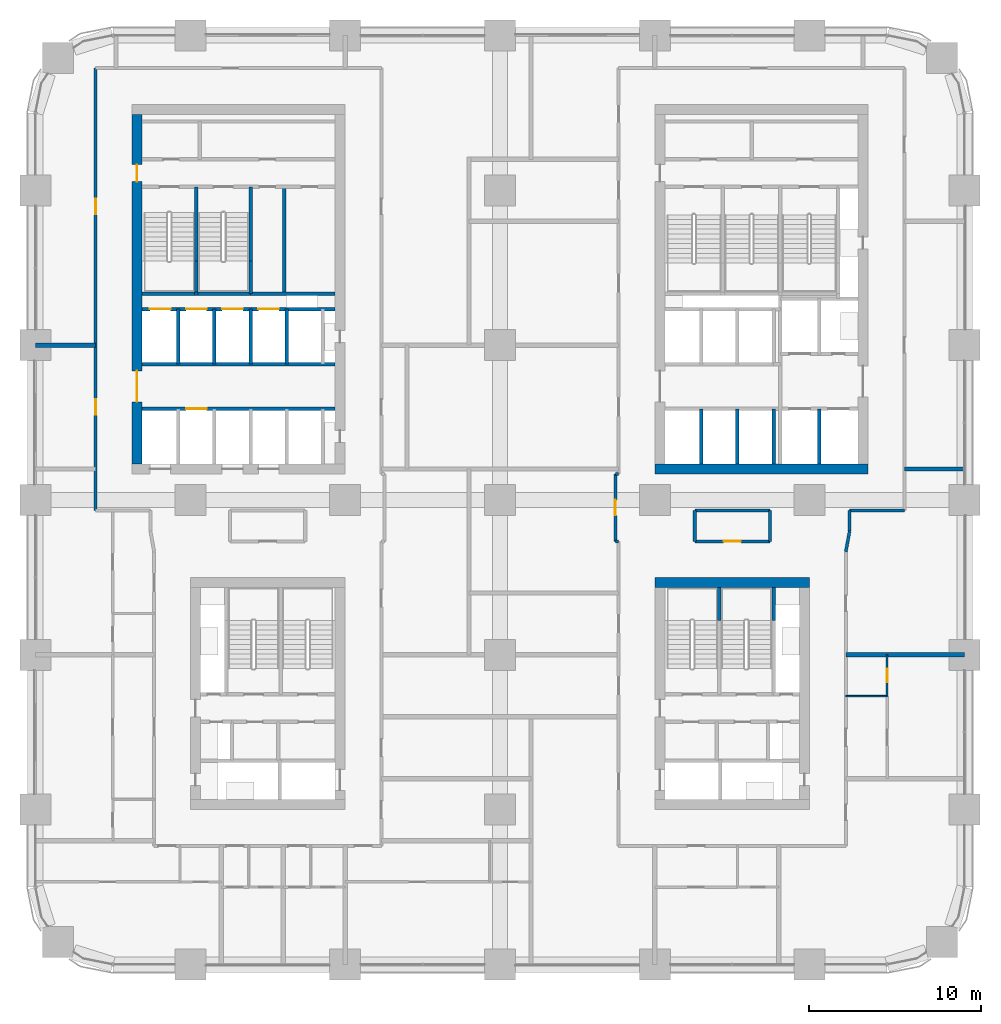
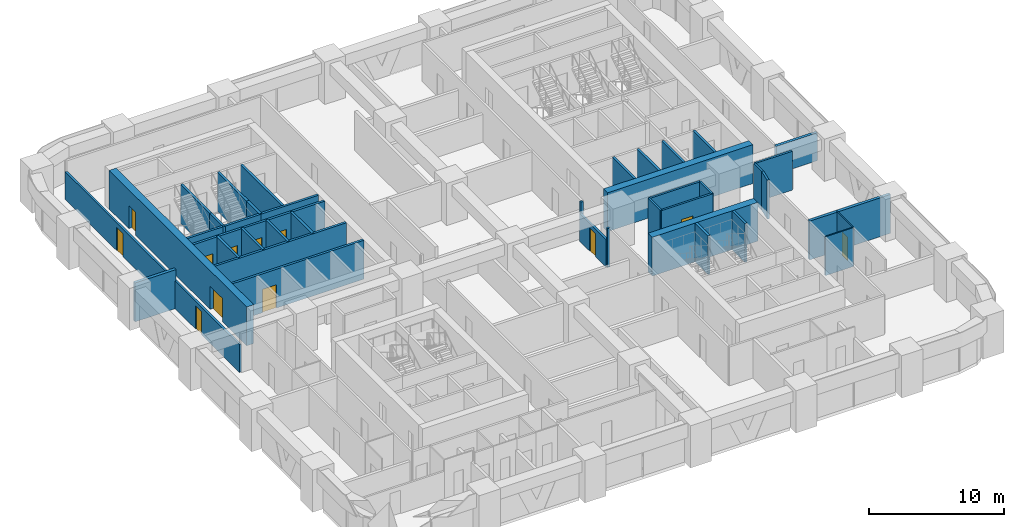
# One storey, part 16 of 21: 41 walls, 12 doors, 12 openings.
"""IFC4 building model written with IfcOpenShell, lengths in metres."""

from ifc_helpers import new_model, si_unit, direction, frame, frame_2d, origin, place, context, subcontext, project, spatial, rectangle, extrude, material, layer, layer_set, type_object, element, fill, save


model = new_model("IFC4")

# Units and contexts
model_context = context("Model", 3, precision=1e-05, world=origin(), true_north=direction((0.0, 1.0)))
body_context = subcontext(model_context, "Body", "Model", "MODEL_VIEW")
ifc_project = project(units=[si_unit("LENGTHUNIT", "METRE"), si_unit("AREAUNIT", "SQUARE_METRE"), si_unit("VOLUMEUNIT", "CUBIC_METRE"), si_unit("PLANEANGLEUNIT", "RADIAN"), si_unit("MASSUNIT", "GRAM", prefix="KILO")], contexts=[model_context])

# Site, building, storey
site_placement = place(None, origin())
site = spatial("IfcSite", under=ifc_project, at=site_placement, CompositionType="ELEMENT")
building_placement = place(site_placement, origin())
building = spatial("IfcBuilding", under=site, at=building_placement, Name="Tessera Arch", CompositionType="ELEMENT")
storey_placement = place(building_placement, frame((0.0, 0.0, 69.0)))
storey = spatial("IfcBuildingStorey", under=building, at=storey_placement, Name="L15", CompositionType="ELEMENT", Elevation=69.0)

# Walls
ifc_material_1 = material(Name="Gypsum board on steel stud", Category="steel")
ifc_layer_1 = layer(ifc_material_1, 0.125)
ifc_layer_set_1 = layer_set([ifc_layer_1], Name="Core partition 125 EI 60")
wall_type_1 = type_object("IfcWallType", Name="Core partition 125 EI 60", PredefinedType="PARTITIONING", material=ifc_layer_set_1)
wall_1_placement = place(storey_placement, frame((14.4599609375, 39.0, 0.0), z_axis=(0.0, 0.0, 1.0), x_axis=(0.0, 1.0, 0.0)))
element("IfcWall", 1, at=wall_1_placement, inside=storey, type_object=wall_type_1, Name="L15 C2 partition wall 12", PredefinedType="PARTITIONING", context=body_context, shape_type="SweptSolid", body=[
    extrude(rectangle(XDim=6.199951171875, YDim=0.199951171875, at=frame_2d((3.10009765625, 0.0))), origin(), (0.0, 0.0, 1.0), 3.5),
])
ifc_material_2 = material(Name="Concrete C70/85", Category="concrete")
ifc_layer_2 = layer(ifc_material_2, 0.60009765625)
ifc_layer_set_2 = layer_set([ifc_layer_2], Name="Core shell wall 600 C70-85")
wall_type_2 = type_object("IfcWallType", Name="Core shell wall 600 C70-85", PredefinedType="SHEAR", material=ifc_layer_set_2)
wall_2_placement = place(storey_placement, frame((36.0, 28.800048828125, 0.0), z_axis=(0.0, 0.0, 1.0), x_axis=(1.0, 0.0, 0.0)))
element("IfcWall", 2, at=wall_2_placement, inside=storey, type_object=wall_type_2, Name="L15 C1 core wall S", PredefinedType="SHEAR", context=body_context, shape_type="SweptSolid", body=[
    extrude(rectangle(XDim=12.39990234375, YDim=0.60009765625, at=frame_2d((6.199951171875, 0.0))), origin(), (0.0, 0.0, 1.0), 3.5),
])

# Wall, openings, doors
wall_3_placement = place(storey_placement, frame((5.89990234375, 29.10009765625, 0.0), z_axis=(0.0, 0.0, 1.0), x_axis=(0.0, 1.0, 0.0)))
wall_3 = element("IfcWall", 3, at=wall_3_placement, inside=storey, type_object=wall_type_2, Name="L15 C2 core wall W", PredefinedType="SHEAR", context=body_context, shape_type="SweptSolid", body=[
    extrude(rectangle(XDim=20.2998046875, YDim=0.60009765625, at=frame_2d((10.14990234375, 0.0))), origin(), (0.0, 0.0, 1.0), 3.5),
])
opening_1_placement = place(wall_3_placement, frame((3.60009765625, 0.0, 0.0)))
opening_1 = element("IfcOpeningElement", 4, at=opening_1_placement, cuts=wall_3, Name="Opening L15-C24", PredefinedType="OPENING", context=body_context, shape_type="SweptSolid", body=[
    extrude(rectangle(XDim=1.800048828125, YDim=2.10009765625, at=frame_2d((0.89990234375, 1.050048828125))), frame((0.0, 0.31005859375, 0.0), z_axis=(0.0, -1.0, 0.0), x_axis=(1.0, 0.0, 0.0)), (0.0, 0.0, 1.0), 0.6201171875),
])
opening_2_placement = place(wall_3_placement, frame((16.39990234375, 0.0, 0.0)))
opening_2 = element("IfcOpeningElement", 5, at=opening_2_placement, cuts=wall_3, Name="Opening L15-C27", PredefinedType="OPENING", context=body_context, shape_type="SweptSolid", body=[
    extrude(rectangle(XDim=1.0, YDim=2.10009765625, at=frame_2d((0.5, 1.050048828125))), frame((0.0, 0.31005859375, 0.0), z_axis=(0.0, -1.0, 0.0), x_axis=(1.0, 0.0, 0.0)), (0.0, 0.0, 1.0), 0.6201171875),
])
ifc_material_3 = material(Name="Steel door leaf", Category="steel")
door_type_1 = type_object("IfcDoorType", Name="Corridor door FD60 1000 x 2100", OperationType="SINGLE_SWING_LEFT", PredefinedType="DOOR", material=ifc_material_3)
door_1_placement = place(opening_2_placement, origin())
door_1 = element("IfcDoor", 6, at=door_1_placement, inside=storey, type_object=door_type_1, Name="L15 C2 door 14 C27 type D12", OperationType="SINGLE_SWING_RIGHT", OverallHeight=2.10009765625, OverallWidth=1.0, PredefinedType="DOOR", context=body_context, shape_type="SweptSolid", body=[
    extrude(rectangle(XDim=1.0, YDim=2.10009765625, at=frame_2d((0.5, 1.050048828125))), frame((0.0, 0.02490234375, 0.0), z_axis=(0.0, -1.0, 0.0), x_axis=(1.0, 0.0, 0.0)), (0.0, 0.0, 1.0), 0.050048828125),
])
fill(opening_2, door_1)
ifc_material_4 = material(Name="Glazed steel door leaf", Category="steel")
door_type_2 = type_object("IfcDoorType", Name="Lobby double door FD30S 1800 x 2100", OperationType="DOUBLE_DOOR_SINGLE_SWING", PredefinedType="DOOR", material=ifc_material_4)
door_2_placement = place(opening_1_placement, origin())
door_2 = element("IfcDoor", 7, at=door_2_placement, inside=storey, type_object=door_type_2, Name="L15 C2 door 11 C24 type D06", OperationType="DOUBLE_DOOR_SINGLE_SWING", OverallHeight=2.10009765625, OverallWidth=1.800048828125, PredefinedType="DOOR", context=body_context, shape_type="SweptSolid", body=[
    extrude(rectangle(XDim=1.800048828125, YDim=2.10009765625, at=frame_2d((0.89990234375, 1.050048828125))), frame((0.0, 0.02490234375, 0.0), z_axis=(0.0, -1.0, 0.0), x_axis=(1.0, 0.0, 0.0)), (0.0, 0.0, 1.0), 0.050048828125),
])
fill(opening_1, door_2)

# Walls
wall_4_placement = place(storey_placement, frame((36.0, 22.199951171875, 0.0), z_axis=(0.0, 0.0, 1.0), x_axis=(1.0, 0.0, 0.0)))
element("IfcWall", 8, at=wall_4_placement, inside=storey, type_object=wall_type_2, Name="L15 C3 core wall N", PredefinedType="SHEAR", context=body_context, shape_type="SweptSolid", body=[
    extrude(rectangle(XDim=9.0, YDim=0.60009765625, at=frame_2d((4.5, 0.0))), origin(), (0.0, 0.0, 1.0), 3.5),
])
ifc_material_5 = material(Name="Gypsum board on deep steel stud with mineral wool", Category="steel")
ifc_layer_3 = layer(ifc_material_5, 0.175048828125)
ifc_layer_set_3 = layer_set([ifc_layer_3], Name="Corridor wall 175 EI 60")
wall_type_3 = type_object("IfcWallType", Name="Corridor wall 175 EI 60", PredefinedType="PARTITIONING", material=ifc_layer_set_3)
wall_5_placement = place(storey_placement, frame((33.699951171875, 24.590087890625, 0.0), z_axis=(0.0, 0.0, 1.0), x_axis=(1.0, 0.0, 0.0)))
element("IfcWall", 9, at=wall_5_placement, inside=storey, type_object=wall_type_3, Name="L15 partition 4", PredefinedType="PARTITIONING", context=body_context, shape_type="SweptSolid", body=[
    extrude(rectangle(XDim=0.199951171875, YDim=0.175048828125, at=frame_2d((0.10009765625, 0.0))), origin(), (0.0, 0.0, 1.0), 3.5),
])

# Wall, opening, door
wall_6_placement = place(storey_placement, frame((38.320068359375, 24.60009765625, 0.0), z_axis=(0.0, 0.0, 1.0), x_axis=(1.0, 0.0, 0.0)))
wall_6 = element("IfcWall", 10, at=wall_6_placement, inside=storey, type_object=wall_type_3, Name="L15 partition 6", PredefinedType="PARTITIONING", context=body_context, shape_type="SweptSolid", body=[
    extrude(rectangle(XDim=4.35986328125, YDim=0.175048828125, at=frame_2d((2.179931640625, 0.0))), origin(), (0.0, 0.0, 1.0), 3.5),
])
opening_3_placement = place(wall_6_placement, frame((1.679931640625, 0.0, 0.0)))
opening_3 = element("IfcOpeningElement", 11, at=opening_3_placement, cuts=wall_6, Name="Opening L15-D035", PredefinedType="OPENING", context=body_context, shape_type="SweptSolid", body=[
    extrude(rectangle(XDim=1.0, YDim=2.10009765625, at=frame_2d((0.5, 1.050048828125))), frame((0.0, 0.097412109375, 0.0), z_axis=(0.0, -1.0, 0.0), x_axis=(1.0, 0.0, 0.0)), (0.0, 0.0, 1.0), 0.195068359375),
])
ifc_material_6 = material(Name="Fire-rated door leaf")
door_type_3 = type_object("IfcDoorType", Name="Entrance door FD30S 1000 x 2100", OperationType="SINGLE_SWING_LEFT", PredefinedType="DOOR", material=ifc_material_6)
door_3_placement = place(opening_3_placement, origin())
door_3 = element("IfcDoor", 12, at=door_3_placement, inside=storey, type_object=door_type_3, Name="L15 door D035 type D03", OperationType="SINGLE_SWING_LEFT", OverallHeight=2.10009765625, OverallWidth=1.0, PredefinedType="DOOR", context=body_context, shape_type="SweptSolid", body=[
    extrude(rectangle(XDim=1.0, YDim=2.10009765625, at=frame_2d((0.5, 1.050048828125))), frame((0.0, 0.02490234375, 0.0), z_axis=(0.0, -1.0, 0.0), x_axis=(1.0, 0.0, 0.0)), (0.0, 0.0, 1.0), 0.050048828125),
])
fill(opening_3, door_3)

# Walls
wall_7_placement = place(storey_placement, frame((38.320068359375, 26.39990234375, 0.0), z_axis=(0.0, 0.0, 1.0), x_axis=(1.0, 0.0, 0.0)))
element("IfcWall", 13, at=wall_7_placement, inside=storey, type_object=wall_type_3, Name="L15 partition 9", PredefinedType="PARTITIONING", context=body_context, shape_type="SweptSolid", body=[
    extrude(rectangle(XDim=4.35986328125, YDim=0.175048828125, at=frame_2d((2.179931640625, 0.0))), origin(), (0.0, 0.0, 1.0), 3.5),
])
wall_8_placement = place(storey_placement, frame((47.320068359375, 26.39990234375, 0.0), z_axis=(0.0, 0.0, 1.0), x_axis=(1.0, 0.0, 0.0)))
element("IfcWall", 14, at=wall_8_placement, inside=storey, type_object=wall_type_3, Name="L15 partition 10", PredefinedType="PARTITIONING", context=body_context, shape_type="SweptSolid", body=[
    extrude(rectangle(XDim=3.179931640625, YDim=0.175048828125, at=frame_2d((1.58984375, 0.0))), origin(), (0.0, 0.0, 1.0), 3.5),
])
wall_9_placement = place(storey_placement, frame((33.699951171875, 28.52001953125, 0.0), z_axis=(0.0, 0.0, 1.0), x_axis=(1.0, 0.0, 0.0)))
element("IfcWall", 15, at=wall_9_placement, inside=storey, type_object=wall_type_3, Name="L15 partition 12", PredefinedType="PARTITIONING", context=body_context, shape_type="SweptSolid", body=[
    extrude(rectangle(XDim=0.199951171875, YDim=0.175048828125, at=frame_2d((0.10009765625, 0.0))), origin(), (0.0, 0.0, 1.0), 3.5),
])

# Wall, openings, doors
wall_10_placement = place(storey_placement, frame((3.5, 26.39990234375, 0.0), z_axis=(0.0, 0.0, 1.0), x_axis=(0.0, 1.0, 0.0)))
wall_10 = element("IfcWall", 16, at=wall_10_placement, inside=storey, type_object=wall_type_3, Name="L15 partition 15", PredefinedType="PARTITIONING", context=body_context, shape_type="SweptSolid", body=[
    extrude(rectangle(XDim=25.7001953125, YDim=0.175048828125, at=frame_2d((12.85009765625, 0.0))), origin(), (0.0, 0.0, 1.0), 2.5),
])
opening_4_placement = place(wall_10_placement, frame((5.550048828125, 0.0, 0.0)))
opening_4 = element("IfcOpeningElement", 17, at=opening_4_placement, cuts=wall_10, Name="Opening L15-D036", PredefinedType="OPENING", context=body_context, shape_type="SweptSolid", body=[
    extrude(rectangle(XDim=0.89990234375, YDim=2.10009765625, at=frame_2d((0.449951171875, 1.050048828125))), frame((0.0, 0.097412109375, 0.0), z_axis=(0.0, -1.0, 0.0), x_axis=(1.0, 0.0, 0.0)), (0.0, 0.0, 1.0), 0.195068359375),
])
opening_5_placement = place(wall_10_placement, frame((17.199951171875, 0.0, 0.0)))
opening_5 = element("IfcOpeningElement", 18, at=opening_5_placement, cuts=wall_10, Name="Opening L15-D041", PredefinedType="OPENING", context=body_context, shape_type="SweptSolid", body=[
    extrude(rectangle(XDim=0.89990234375, YDim=2.10009765625, at=frame_2d((0.449951171875, 1.050048828125))), frame((0.0, 0.097412109375, 0.0), z_axis=(0.0, -1.0, 0.0), x_axis=(1.0, 0.0, 0.0)), (0.0, 0.0, 1.0), 0.195068359375),
])
ifc_material_7 = material(Name="Timber door leaf", Category="wood")
door_type_4 = type_object("IfcDoorType", Name="Room door 900 x 2100", OperationType="SINGLE_SWING_LEFT", PredefinedType="DOOR", material=ifc_material_7)
door_4_placement = place(opening_4_placement, origin())
door_4 = element("IfcDoor", 19, at=door_4_placement, inside=storey, type_object=door_type_4, Name="L15 door D036 type D01", OperationType="SINGLE_SWING_RIGHT", OverallHeight=2.10009765625, OverallWidth=0.89990234375, PredefinedType="DOOR", context=body_context, shape_type="SweptSolid", body=[
    extrude(rectangle(XDim=0.89990234375, YDim=2.10009765625, at=frame_2d((0.449951171875, 1.050048828125))), frame((0.0, 0.02490234375, 0.0), z_axis=(0.0, -1.0, 0.0), x_axis=(1.0, 0.0, 0.0)), (0.0, 0.0, 1.0), 0.050048828125),
])
fill(opening_4, door_4)
door_5_placement = place(opening_5_placement, origin())
door_5 = element("IfcDoor", 20, at=door_5_placement, inside=storey, type_object=door_type_4, Name="L15 door D041 type D01", OperationType="SINGLE_SWING_LEFT", OverallHeight=2.10009765625, OverallWidth=0.89990234375, PredefinedType="DOOR", context=body_context, shape_type="SweptSolid", body=[
    extrude(rectangle(XDim=0.89990234375, YDim=2.10009765625, at=frame_2d((0.449951171875, 1.050048828125))), frame((0.0, 0.02490234375, 0.0), z_axis=(0.0, -1.0, 0.0), x_axis=(1.0, 0.0, 0.0)), (0.0, 0.0, 1.0), 0.050048828125),
])
fill(opening_5, door_5)

# Wall, opening, door
wall_11_placement = place(storey_placement, frame((33.699951171875, 24.590087890625, 0.0), z_axis=(0.0, 0.0, 1.0), x_axis=(0.0, 1.0, 0.0)))
wall_11 = element("IfcWall", 21, at=wall_11_placement, inside=storey, type_object=wall_type_3, Name="L15 partition 23", PredefinedType="PARTITIONING", context=body_context, shape_type="SweptSolid", body=[
    extrude(rectangle(XDim=3.929931640625, YDim=0.175048828125, at=frame_2d((1.96484375, 0.0))), origin(), (0.0, 0.0, 1.0), 2.5),
])
opening_6_placement = place(wall_11_placement, frame((1.514892578125, 0.0, 0.0)))
opening_6 = element("IfcOpeningElement", 22, at=opening_6_placement, cuts=wall_11, Name="Opening L15-D033", PredefinedType="OPENING", context=body_context, shape_type="SweptSolid", body=[
    extrude(rectangle(XDim=0.89990234375, YDim=2.10009765625, at=frame_2d((0.449951171875, 1.050048828125))), frame((0.0, 0.097412109375, 0.0), z_axis=(0.0, -1.0, 0.0), x_axis=(1.0, 0.0, 0.0)), (0.0, 0.0, 1.0), 0.195068359375),
])
door_6_placement = place(opening_6_placement, origin())
door_6 = element("IfcDoor", 23, at=door_6_placement, inside=storey, type_object=door_type_4, Name="L15 door D033 type D01", OperationType="SINGLE_SWING_LEFT", OverallHeight=2.10009765625, OverallWidth=0.89990234375, PredefinedType="DOOR", context=body_context, shape_type="SweptSolid", body=[
    extrude(rectangle(XDim=0.89990234375, YDim=2.10009765625, at=frame_2d((0.449951171875, 1.050048828125))), frame((0.0, 0.02490234375, 0.0), z_axis=(0.0, -1.0, 0.0), x_axis=(1.0, 0.0, 0.0)), (0.0, 0.0, 1.0), 0.050048828125),
])
fill(opening_6, door_6)

# Walls
for number, where, z_axis, x_axis, name in (
    (24, (38.320068359375, 24.60009765625, 0.0), (0.0, 0.0, 1.0), (0.0, 1.0, 0.0), "L15 partition 26"),
    (25, (42.679931640625, 24.60009765625, 0.0), (0.0, 0.0, 1.0), (0.0, 1.0, 0.0), "L15 partition 27"),
):
    element("IfcWall", number, at=place(storey_placement, frame(where, z_axis=z_axis, x_axis=x_axis)), inside=storey, type_object=wall_type_3, Name=name, PredefinedType="PARTITIONING", context=body_context, shape_type="SweptSolid", body=[
        extrude(rectangle(XDim=1.7998046875, YDim=0.175048828125, at=frame_2d((0.89990234375, 0.0))), origin(), (0.0, 0.0, 1.0), 3.5),
    ])
wall_12_placement = place(storey_placement, frame((47.320068359375, 25.18994140625, 0.0), z_axis=(0.0, 0.0, 1.0), x_axis=(0.0, 1.0, 0.0)))
element("IfcWall", 26, at=wall_12_placement, inside=storey, type_object=wall_type_3, Name="L15 partition 29", PredefinedType="PARTITIONING", context=body_context, shape_type="SweptSolid", body=[
    extrude(rectangle(XDim=1.2099609375, YDim=0.175048828125, at=frame_2d((0.60498046875, 0.0))), origin(), (0.0, 0.0, 1.0), 3.5),
])
wall_13_placement = place(storey_placement, frame((47.320068359375, 25.18994140625, 0.0), z_axis=(0.0, 0.0, 1.0), x_axis=(-0.180311734132, -0.983609515272, 0.0)))
element("IfcWall", 27, at=wall_13_placement, inside=storey, type_object=wall_type_3, Name="L15 partition 86", PredefinedType="PARTITIONING", context=body_context, shape_type="SweptSolid", body=[
    extrude(rectangle(XDim=1.219970703125, YDim=0.175048828125, at=frame_2d((0.60986328125, 0.0))), origin(), (0.0, 0.0, 1.0), 3.5),
])
ifc_material_8 = material(Name="Double gypsum board on twin steel stud with acoustic mineral wool", Category="steel")
ifc_layer_4 = layer(ifc_material_8, 0.25)
ifc_layer_set_4 = layer_set([ifc_layer_4], Name="Party wall 250 EI 60")
wall_type_4 = type_object("IfcWallType", Name="Party wall 250 EI 60", PredefinedType="PARTITIONING", material=ifc_layer_set_4)
wall_14_placement = place(storey_placement, frame((47.10009765625, 18.0, 0.0), z_axis=(0.0, 0.0, 1.0), x_axis=(1.0, 0.0, 0.0)))
element("IfcWall", 28, at=wall_14_placement, inside=storey, type_object=wall_type_4, Name="L15 partition 46", PredefinedType="PARTITIONING", context=body_context, shape_type="SweptSolid", body=[
    extrude(rectangle(XDim=6.89990234375, YDim=0.25, at=frame_2d((3.449951171875, 0.0))), origin(), (0.0, 0.0, 1.0), 3.5),
])
wall_15_placement = place(storey_placement, frame((50.5, 28.800048828125, 0.0), z_axis=(0.0, 0.0, 1.0), x_axis=(1.0, 0.0, 0.0)))
element("IfcWall", 29, at=wall_15_placement, inside=storey, type_object=wall_type_4, Name="L15 partition 50", PredefinedType="PARTITIONING", context=body_context, shape_type="SweptSolid", body=[
    extrude(rectangle(XDim=3.5, YDim=0.25, at=frame_2d((1.75, 0.0))), origin(), (0.0, 0.0, 1.0), 2.5),
])
wall_16_placement = place(storey_placement, frame((0.0, 36.0, 0.0), z_axis=(0.0, 0.0, 1.0), x_axis=(1.0, 0.0, 0.0)))
element("IfcWall", 30, at=wall_16_placement, inside=storey, type_object=wall_type_4, Name="L15 partition 51", PredefinedType="PARTITIONING", context=body_context, shape_type="SweptSolid", body=[
    extrude(rectangle(XDim=3.5, YDim=0.25, at=frame_2d((1.75, 0.0))), origin(), (0.0, 0.0, 1.0), 3.5),
])
ifc_material_9 = material(Name="Concrete C40/50", Category="concrete")
ifc_layer_5 = layer(ifc_material_9, 0.199951171875)
ifc_layer_set_5 = layer_set([ifc_layer_5], Name="Shaft wall 200 EI 120")
wall_type_5 = type_object("IfcWallType", Name="Shaft wall 200 EI 120", PredefinedType="SOLIDWALL", material=ifc_layer_set_5)
for number, where, z_axis, x_axis, name in (
    (31, (38.699951171875, 29.10009765625, 0.0), (0.0, 0.0, 1.0), (0.0, 1.0, 0.0), "L15 C1 shaft wall 1"),
    (32, (40.800048828125, 29.10009765625, 0.0), (0.0, 0.0, 1.0), (0.0, 1.0, 0.0), "L15 C1 shaft wall 5"),
    (33, (42.89990234375, 29.10009765625, 0.0), (0.0, 0.0, 1.0), (0.0, 1.0, 0.0), "L15 C1 shaft wall 8"),
    (34, (45.550048828125, 29.10009765625, 0.0), (0.0, 0.0, 1.0), (0.0, 1.0, 0.0), "L15 C1 shaft wall 13"),
):
    element("IfcWall", number, at=place(storey_placement, frame(where, z_axis=z_axis, x_axis=x_axis)), inside=storey, type_object=wall_type_5, Name=name, PredefinedType="SOLIDWALL", context=body_context, shape_type="SweptSolid", body=[
        extrude(rectangle(XDim=3.199951171875, YDim=0.199951171875, at=frame_2d((1.60009765625, 0.0))), origin(), (0.0, 0.0, 1.0), 3.5),
    ])
for number, where, z_axis, x_axis, name in (
    (35, (8.300048828125, 34.89990234375, 0.0), (0.0, 0.0, 1.0), (0.0, 1.0, 0.0), "L15 C2 shaft wall 2"),
    (36, (10.39990234375, 34.89990234375, 0.0), (0.0, 0.0, 1.0), (0.0, 1.0, 0.0), "L15 C2 shaft wall 7"),
    (37, (12.5, 34.89990234375, 0.0), (0.0, 0.0, 1.0), (0.0, 1.0, 0.0), "L15 C2 shaft wall 9"),
    (38, (14.60009765625, 34.89990234375, 0.0), (0.0, 0.0, 1.0), (0.0, 1.0, 0.0), "L15 C2 shaft wall 14"),
):
    element("IfcWall", number, at=place(storey_placement, frame(where, z_axis=z_axis, x_axis=x_axis)), inside=storey, type_object=wall_type_5, Name=name, PredefinedType="SOLIDWALL", context=body_context, shape_type="SweptSolid", body=[
        extrude(rectangle(XDim=3.2001953125, YDim=0.199951171875, at=frame_2d((1.60009765625, 0.0))), origin(), (0.0, 0.0, 1.0), 3.5),
    ])

# Wall, opening, door
wall_17_placement = place(storey_placement, frame((6.199951171875, 32.300048828125, 0.0), z_axis=(0.0, 0.0, 1.0), x_axis=(1.0, 0.0, 0.0)))
wall_17 = element("IfcWall", 39, at=wall_17_placement, inside=storey, type_object=wall_type_5, Name="L15 C2 shaft wall 17", PredefinedType="SOLIDWALL", context=body_context, shape_type="SweptSolid", body=[
    extrude(rectangle(XDim=11.199951171875, YDim=0.199951171875, at=frame_2d((5.60009765625, 0.0))), origin(), (0.0, 0.0, 1.0), 3.5),
])
opening_7_placement = place(wall_17_placement, frame((2.550048828125, 0.0, 0.0)))
opening_7 = element("IfcOpeningElement", 40, at=opening_7_placement, cuts=wall_17, Name="Opening L15-C15", PredefinedType="OPENING", context=body_context, shape_type="SweptSolid", body=[
    extrude(rectangle(XDim=1.199951171875, YDim=2.10009765625, at=frame_2d((0.60009765625, 1.050048828125))), frame((0.0, 0.10986328125, 0.0), z_axis=(0.0, -1.0, 0.0), x_axis=(1.0, 0.0, 0.0)), (0.0, 0.0, 1.0), 0.219970703125),
])
ifc_material_10 = material(Name="Stainless steel AISI 304", Category="steel")
door_type_5 = type_object("IfcDoorType", Name="Sliding landing door 1200 x 2100", OperationType="SLIDING_TO_LEFT", PredefinedType="DOOR", material=ifc_material_10)
door_7_placement = place(opening_7_placement, origin())
door_7 = element("IfcDoor", 41, at=door_7_placement, inside=storey, type_object=door_type_5, Name="L15 LR2 lift landing door C15 type LD", OperationType="SLIDING_TO_LEFT", OverallHeight=2.10009765625, OverallWidth=1.199951171875, PredefinedType="DOOR", context=body_context, shape_type="SweptSolid", body=[
    extrude(rectangle(XDim=1.199951171875, YDim=2.10009765625, at=frame_2d((0.60009765625, 1.050048828125))), frame((0.0, 0.02490234375, 0.0), z_axis=(0.0, -1.0, 0.0), x_axis=(1.0, 0.0, 0.0)), (0.0, 0.0, 1.0), 0.050048828125),
])
fill(opening_7, door_7)

# Wall
wall_18_placement = place(storey_placement, frame((6.199951171875, 34.89990234375, 0.0), z_axis=(0.0, 0.0, 1.0), x_axis=(1.0, 0.0, 0.0)))
element("IfcWall", 42, at=wall_18_placement, inside=storey, type_object=wall_type_5, Name="L15 C2 shaft wall 18", PredefinedType="SOLIDWALL", context=body_context, shape_type="SweptSolid", body=[
    extrude(rectangle(XDim=11.199951171875, YDim=0.199951171875, at=frame_2d((5.60009765625, 0.0))), origin(), (0.0, 0.0, 1.0), 3.5),
])

# Wall, openings, doors
wall_19_placement = place(storey_placement, frame((6.199951171875, 38.10009765625, 0.0), z_axis=(0.0, 0.0, 1.0), x_axis=(1.0, 0.0, 0.0)))
wall_19 = element("IfcWall", 43, at=wall_19_placement, inside=storey, type_object=wall_type_5, Name="L15 C2 shaft wall 19", PredefinedType="SOLIDWALL", context=body_context, shape_type="SweptSolid", body=[
    extrude(rectangle(XDim=11.199951171875, YDim=0.199951171875, at=frame_2d((5.60009765625, 0.0))), origin(), (0.0, 0.0, 1.0), 3.5),
])
opening_8_placement = place(wall_19_placement, frame((0.449951171875, 0.0, 0.0)))
opening_8 = element("IfcOpeningElement", 44, at=opening_8_placement, cuts=wall_19, Name="Opening L15-C18", PredefinedType="OPENING", context=body_context, shape_type="SweptSolid", body=[
    extrude(rectangle(XDim=1.199951171875, YDim=2.10009765625, at=frame_2d((0.60009765625, 1.050048828125))), frame((0.0, 0.10986328125, 0.0), z_axis=(0.0, -1.0, 0.0), x_axis=(1.0, 0.0, 0.0)), (0.0, 0.0, 1.0), 0.219970703125),
])
opening_9_placement = place(wall_19_placement, frame((2.550048828125, 0.0, 0.0)))
opening_9 = element("IfcOpeningElement", 45, at=opening_9_placement, cuts=wall_19, Name="Opening L15-C19", PredefinedType="OPENING", context=body_context, shape_type="SweptSolid", body=[
    extrude(rectangle(XDim=1.199951171875, YDim=2.10009765625, at=frame_2d((0.60009765625, 1.050048828125))), frame((0.0, 0.10986328125, 0.0), z_axis=(0.0, -1.0, 0.0), x_axis=(1.0, 0.0, 0.0)), (0.0, 0.0, 1.0), 0.219970703125),
])
opening_10_placement = place(wall_19_placement, frame((4.64990234375, 0.0, 0.0)))
opening_10 = element("IfcOpeningElement", 46, at=opening_10_placement, cuts=wall_19, Name="Opening L15-C20", PredefinedType="OPENING", context=body_context, shape_type="SweptSolid", body=[
    extrude(rectangle(XDim=1.199951171875, YDim=2.10009765625, at=frame_2d((0.60009765625, 1.050048828125))), frame((0.0, 0.10986328125, 0.0), z_axis=(0.0, -1.0, 0.0), x_axis=(1.0, 0.0, 0.0)), (0.0, 0.0, 1.0), 0.219970703125),
])
opening_11_placement = place(wall_19_placement, frame((6.75, 0.0, 0.0)))
opening_11 = element("IfcOpeningElement", 47, at=opening_11_placement, cuts=wall_19, Name="Opening L15-C21", PredefinedType="OPENING", context=body_context, shape_type="SweptSolid", body=[
    extrude(rectangle(XDim=1.199951171875, YDim=2.10009765625, at=frame_2d((0.60009765625, 1.050048828125))), frame((0.0, 0.10986328125, 0.0), z_axis=(0.0, -1.0, 0.0), x_axis=(1.0, 0.0, 0.0)), (0.0, 0.0, 1.0), 0.219970703125),
])
door_8_placement = place(opening_8_placement, origin())
door_8 = element("IfcDoor", 48, at=door_8_placement, inside=storey, type_object=door_type_5, Name="L15 LR5 lift landing door C18 type LD", OperationType="SLIDING_TO_LEFT", OverallHeight=2.10009765625, OverallWidth=1.199951171875, PredefinedType="DOOR", context=body_context, shape_type="SweptSolid", body=[
    extrude(rectangle(XDim=1.199951171875, YDim=2.10009765625, at=frame_2d((0.60009765625, 1.050048828125))), frame((0.0, 0.02490234375, 0.0), z_axis=(0.0, -1.0, 0.0), x_axis=(1.0, 0.0, 0.0)), (0.0, 0.0, 1.0), 0.050048828125),
])
fill(opening_8, door_8)
door_9_placement = place(opening_9_placement, origin())
door_9 = element("IfcDoor", 49, at=door_9_placement, inside=storey, type_object=door_type_5, Name="L15 LR6 lift landing door C19 type LD", OperationType="SLIDING_TO_LEFT", OverallHeight=2.10009765625, OverallWidth=1.199951171875, PredefinedType="DOOR", context=body_context, shape_type="SweptSolid", body=[
    extrude(rectangle(XDim=1.199951171875, YDim=2.10009765625, at=frame_2d((0.60009765625, 1.050048828125))), frame((0.0, 0.02490234375, 0.0), z_axis=(0.0, -1.0, 0.0), x_axis=(1.0, 0.0, 0.0)), (0.0, 0.0, 1.0), 0.050048828125),
])
fill(opening_9, door_9)
door_10_placement = place(opening_10_placement, origin())
door_10 = element("IfcDoor", 50, at=door_10_placement, inside=storey, type_object=door_type_5, Name="L15 LR7 lift landing door C20 type LD", OperationType="SLIDING_TO_LEFT", OverallHeight=2.10009765625, OverallWidth=1.199951171875, PredefinedType="DOOR", context=body_context, shape_type="SweptSolid", body=[
    extrude(rectangle(XDim=1.199951171875, YDim=2.10009765625, at=frame_2d((0.60009765625, 1.050048828125))), frame((0.0, 0.02490234375, 0.0), z_axis=(0.0, -1.0, 0.0), x_axis=(1.0, 0.0, 0.0)), (0.0, 0.0, 1.0), 0.050048828125),
])
fill(opening_10, door_10)
door_11_placement = place(opening_11_placement, origin())
door_11 = element("IfcDoor", 51, at=door_11_placement, inside=storey, type_object=door_type_5, Name="L15 LR8 lift landing door C21 type LD", OperationType="SLIDING_TO_LEFT", OverallHeight=2.10009765625, OverallWidth=1.199951171875, PredefinedType="DOOR", context=body_context, shape_type="SweptSolid", body=[
    extrude(rectangle(XDim=1.199951171875, YDim=2.10009765625, at=frame_2d((0.60009765625, 1.050048828125))), frame((0.0, 0.02490234375, 0.0), z_axis=(0.0, -1.0, 0.0), x_axis=(1.0, 0.0, 0.0)), (0.0, 0.0, 1.0), 0.050048828125),
])
fill(opening_11, door_11)

# Walls
wall_20_placement = place(storey_placement, frame((12.5, 39.0, 0.0), z_axis=(0.0, 0.0, 1.0), x_axis=(1.0, 0.0, 0.0)))
element("IfcWall", 52, at=wall_20_placement, inside=storey, type_object=wall_type_5, Name="L15 C2 shaft wall 20", PredefinedType="SOLIDWALL", context=body_context, shape_type="SweptSolid", body=[
    extrude(rectangle(XDim=4.89990234375, YDim=0.199951171875, at=frame_2d((2.449951171875, 0.0))), origin(), (0.0, 0.0, 1.0), 3.5),
])
ifc_material_11 = material(Name="Concrete C40/50", Category="concrete")
ifc_layer_6 = layer(ifc_material_11, 0.199951171875)
ifc_layer_set_6 = layer_set([ifc_layer_6], Name="Stair well wall 200 REI 180")
wall_type_6 = type_object("IfcWallType", Name="Stair well wall 200 REI 180", PredefinedType="SOLIDWALL", material=ifc_layer_set_6)
wall_21_placement = place(storey_placement, frame((9.35009765625, 39.0, 0.0), z_axis=(0.0, 0.0, 1.0), x_axis=(0.0, 1.0, 0.0)))
element("IfcWall", 53, at=wall_21_placement, inside=storey, type_object=wall_type_6, Name="L15 C2 shaft wall 3", PredefinedType="SOLIDWALL", context=body_context, shape_type="SweptSolid", body=[
    extrude(rectangle(XDim=1.89990234375, YDim=0.199951171875, at=frame_2d((0.949951171875, 0.0))), origin(), (0.0, 0.0, 1.0), 3.5),
])
wall_22_placement = place(storey_placement, frame((9.35009765625, 40.89990234375, 0.0), z_axis=(0.0, 0.0, 1.0), x_axis=(0.0, 1.0, 0.0)))
element("IfcWall", 54, at=wall_22_placement, inside=storey, type_object=wall_type_6, Name="L15 C2 shaft wall 4", PredefinedType="SOLIDWALL", context=body_context, shape_type="SweptSolid", body=[
    extrude(rectangle(XDim=4.300048828125, YDim=0.199951171875, at=frame_2d((2.14990234375, 0.0))), origin(), (0.0, 0.0, 1.0), 3.5),
])
wall_23_placement = place(storey_placement, frame((12.5, 39.0, 0.0), z_axis=(0.0, 0.0, 1.0), x_axis=(0.0, 1.0, 0.0)))
element("IfcWall", 55, at=wall_23_placement, inside=storey, type_object=wall_type_6, Name="L15 C2 shaft wall 10", PredefinedType="SOLIDWALL", context=body_context, shape_type="SweptSolid", body=[
    extrude(rectangle(XDim=1.89990234375, YDim=0.199951171875, at=frame_2d((0.949951171875, 0.0))), origin(), (0.0, 0.0, 1.0), 3.5),
])
wall_24_placement = place(storey_placement, frame((12.5, 40.89990234375, 0.0), z_axis=(0.0, 0.0, 1.0), x_axis=(0.0, 1.0, 0.0)))
element("IfcWall", 56, at=wall_24_placement, inside=storey, type_object=wall_type_6, Name="L15 C2 shaft wall 11", PredefinedType="SOLIDWALL", context=body_context, shape_type="SweptSolid", body=[
    extrude(rectangle(XDim=4.300048828125, YDim=0.199951171875, at=frame_2d((2.14990234375, 0.0))), origin(), (0.0, 0.0, 1.0), 3.5),
])
wall_25_placement = place(storey_placement, frame((6.199951171875, 39.0, 0.0), z_axis=(0.0, 0.0, 1.0), x_axis=(1.0, 0.0, 0.0)))
element("IfcWall", 57, at=wall_25_placement, inside=storey, type_object=wall_type_6, Name="L15 C2 shaft wall 21", PredefinedType="SOLIDWALL", context=body_context, shape_type="SweptSolid", body=[
    extrude(rectangle(XDim=3.050048828125, YDim=0.199951171875, at=frame_2d((1.52490234375, 0.0))), origin(), (0.0, 0.0, 1.0), 3.5),
])
wall_26_placement = place(storey_placement, frame((9.25, 39.0, 0.0), z_axis=(0.0, 0.0, 1.0), x_axis=(1.0, 0.0, 0.0)))
element("IfcWall", 58, at=wall_26_placement, inside=storey, type_object=wall_type_6, Name="L15 C2 shaft wall 22", PredefinedType="SOLIDWALL", context=body_context, shape_type="SweptSolid", body=[
    extrude(rectangle(XDim=0.199951171875, YDim=0.199951171875, at=frame_2d((0.10009765625, 0.0))), origin(), (0.0, 0.0, 1.0), 3.5),
])
wall_27_placement = place(storey_placement, frame((9.449951171875, 39.0, 0.0), z_axis=(0.0, 0.0, 1.0), x_axis=(1.0, 0.0, 0.0)))
element("IfcWall", 59, at=wall_27_placement, inside=storey, type_object=wall_type_6, Name="L15 C2 shaft wall 23", PredefinedType="SOLIDWALL", context=body_context, shape_type="SweptSolid", body=[
    extrude(rectangle(XDim=3.050048828125, YDim=0.199951171875, at=frame_2d((1.52490234375, 0.0))), origin(), (0.0, 0.0, 1.0), 3.5),
])
for number, where, z_axis, x_axis, name in (
    (60, (39.75, 20.0, 0.0), (0.0, 0.0, 1.0), (0.0, 1.0, 0.0), "L15 C3 shaft wall 3"),
    (61, (42.89990234375, 20.0, 0.0), (0.0, 0.0, 1.0), (0.0, 1.0, 0.0), "L15 C3 shaft wall 7"),
):
    element("IfcWall", number, at=place(storey_placement, frame(where, z_axis=z_axis, x_axis=x_axis)), inside=storey, type_object=wall_type_6, Name=name, PredefinedType="SOLIDWALL", context=body_context, shape_type="SweptSolid", body=[
        extrude(rectangle(XDim=1.89990234375, YDim=0.199951171875, at=frame_2d((0.949951171875, 0.0))), origin(), (0.0, 0.0, 1.0), 3.5),
    ])
ifc_material_12 = material(Name="Moisture-resistant board on pre-plumbed steel stud", Category="steel")
ifc_layer_7 = layer(ifc_material_12, 0.10009765625)
ifc_layer_set_7 = layer_set([ifc_layer_7], Name="Wet wall 100")
wall_type_7 = type_object("IfcWallType", Name="Wet wall 100", PredefinedType="PARTITIONING", material=ifc_layer_set_7)
wall_28_placement = place(storey_placement, frame((47.10009765625, 15.60009765625, 0.0), z_axis=(0.0, 0.0, 1.0), x_axis=(1.0, 0.0, 0.0)))
element("IfcWall", 62, at=wall_28_placement, inside=storey, type_object=wall_type_7, Name="L15 partition 76", PredefinedType="PARTITIONING", context=body_context, shape_type="SweptSolid", body=[
    extrude(rectangle(XDim=2.39990234375, YDim=0.10009765625, at=frame_2d((1.199951171875, 0.0))), origin(), (0.0, 0.0, 1.0), 3.5),
])

# Wall, opening, door
wall_29_placement = place(storey_placement, frame((49.5, 15.60009765625, 0.0), z_axis=(0.0, 0.0, 1.0), x_axis=(0.0, 1.0, 0.0)))
wall_29 = element("IfcWall", 63, at=wall_29_placement, inside=storey, type_object=wall_type_7, Name="L15 partition 85", PredefinedType="PARTITIONING", context=body_context, shape_type="SweptSolid", body=[
    extrude(rectangle(XDim=2.39990234375, YDim=0.10009765625, at=frame_2d((1.199951171875, 0.0))), origin(), (0.0, 0.0, 1.0), 3.5),
])
opening_12_placement = place(wall_29_placement, frame((0.800048828125, 0.0, 0.0)))
opening_12 = element("IfcOpeningElement", 64, at=opening_12_placement, cuts=wall_29, Name="Opening L15-D025", PredefinedType="OPENING", context=body_context, shape_type="SweptSolid", body=[
    extrude(rectangle(XDim=0.800048828125, YDim=2.10009765625, at=frame_2d((0.39990234375, 1.050048828125))), frame((0.0, 0.06005859375, 0.0), z_axis=(0.0, -1.0, 0.0), x_axis=(1.0, 0.0, 0.0)), (0.0, 0.0, 1.0), 0.1201171875),
])
ifc_material_13 = material(Name="Timber door leaf", Category="wood")
door_type_6 = type_object("IfcDoorType", Name="En-suite door 800 x 2100", OperationType="SINGLE_SWING_LEFT", PredefinedType="DOOR", material=ifc_material_13)
door_12_placement = place(opening_12_placement, origin())
door_12 = element("IfcDoor", 65, at=door_12_placement, inside=storey, type_object=door_type_6, Name="L15 door D025 type D02", OperationType="SINGLE_SWING_RIGHT", OverallHeight=2.10009765625, OverallWidth=0.800048828125, PredefinedType="DOOR", context=body_context, shape_type="SweptSolid", body=[
    extrude(rectangle(XDim=0.800048828125, YDim=2.10009765625, at=frame_2d((0.39990234375, 1.050048828125))), frame((0.0, 0.02490234375, 0.0), z_axis=(0.0, -1.0, 0.0), x_axis=(1.0, 0.0, 0.0)), (0.0, 0.0, 1.0), 0.050048828125),
])
fill(opening_12, door_12)

save(model, "model.ifc")
